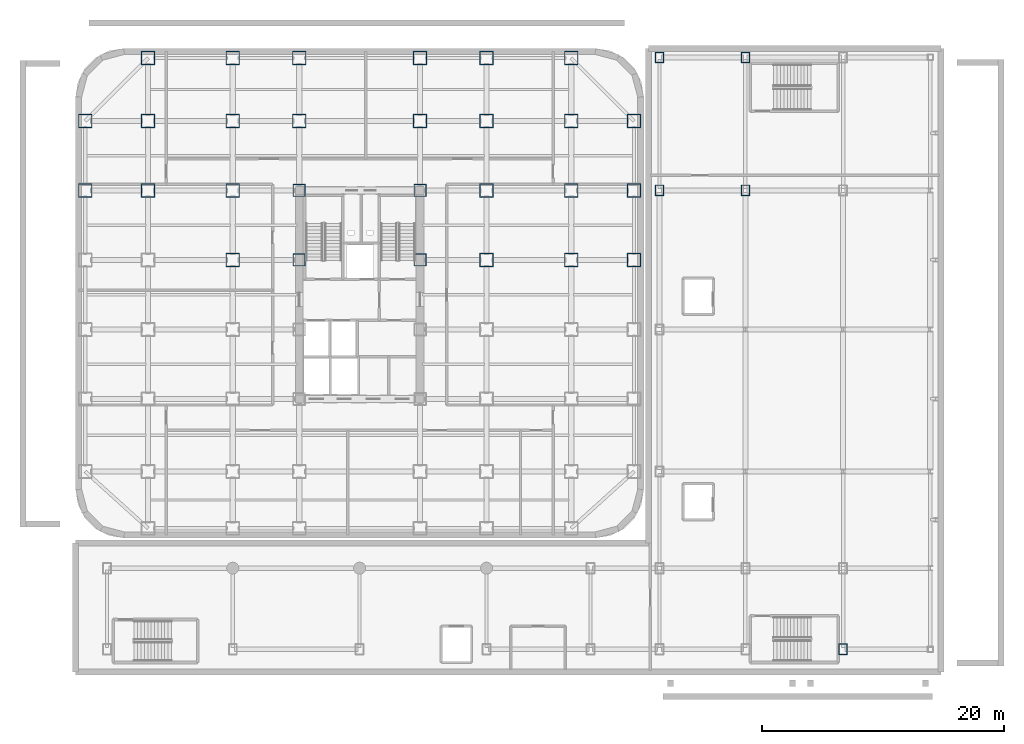
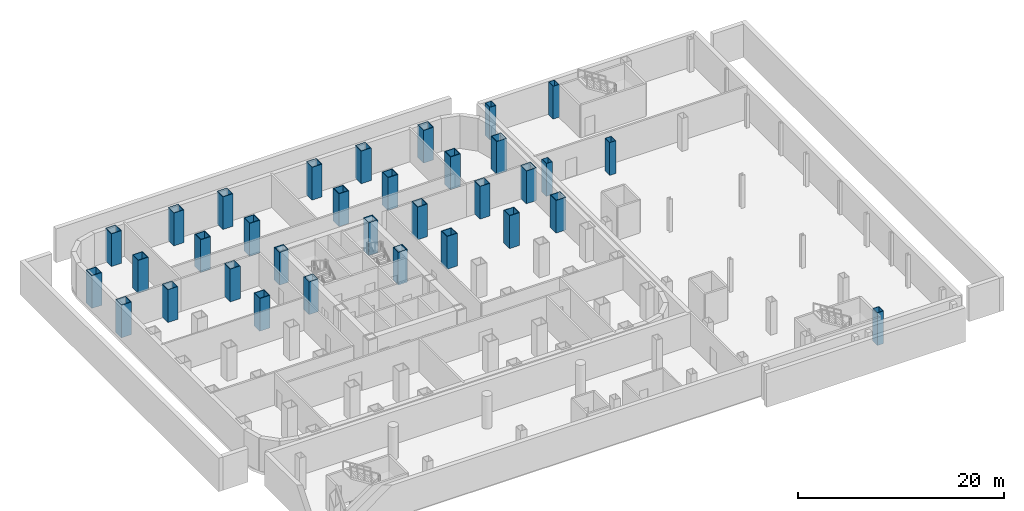
# One storey, part 2 of 16: 33 columns.
"""IFC4 building model written with IfcOpenShell, lengths in metres."""

from ifc_helpers import new_model, si_unit, direction, frame, origin, origin_2d, place, context, subcontext, project, spatial, hollow_rectangle, extrude, source, transform, mapped, material, material_profile, profile_set, type_object, element, save


model = new_model("IFC4")

# Units and contexts
model_context = context("Model", 3, precision=1e-05, world=origin(), true_north=direction((0.0, 1.0)))
body_context = subcontext(model_context, "Body", "Model", "MODEL_VIEW")
ifc_project = project(units=[si_unit("LENGTHUNIT", "METRE"), si_unit("AREAUNIT", "SQUARE_METRE"), si_unit("VOLUMEUNIT", "CUBIC_METRE"), si_unit("PLANEANGLEUNIT", "RADIAN"), si_unit("MASSUNIT", "GRAM", prefix="KILO")], contexts=[model_context])

# Site, building, storey
site_placement = place(None, origin())
site = spatial("IfcSite", under=ifc_project, at=site_placement, CompositionType="ELEMENT")
building_placement = place(site_placement, origin())
building = spatial("IfcBuilding", under=site, at=building_placement, Name="Kolveth Station Tower", CompositionType="ELEMENT")
storey_placement = place(building_placement, frame((0.0, 0.0, -4.199951171875)))
storey = spatial("IfcBuildingStorey", under=building, at=storey_placement, Name="B1", CompositionType="ELEMENT", Elevation=-4.199951171875)

# Columns
ifc_material_1 = material(Name="Steel S460", Category="steel")
ifc_material_profile_1 = material_profile(ifc_material_1, hollow_rectangle(XDim=1.139892578125, YDim=1.139892578125, WallThickness=0.070068359375, at=origin_2d()), Name="BOX1140x1140x70")
ifc_profile_set_1 = profile_set([ifc_material_profile_1], Name="Steel S460")
column_type_1 = type_object("IfcColumnType", Name="Col_C1", PredefinedType="COLUMN", material=ifc_profile_set_1)
shared_shape_1 = source(origin(), body_context, "Body", "SweptSolid", [
    extrude(hollow_rectangle(XDim=1.139892578125, YDim=1.139892578125, WallThickness=0.070068359375, at=origin_2d()), origin(), (0.0, 0.0, 1.0), 3.8798828125),
])
for number, where, z_axis, x_axis, name in (
    (1, (6.0, 39.699951171875, 0.0), (0.0, 0.0, 1.0), (1.0, 0.0, 0.0), "B1 Tower Column N-X60"),
    (2, (13.0, 39.699951171875, 0.0), (0.0, 0.0, 1.0), (1.0, 0.0, 0.0), "B1 Tower Column N-X130"),
    (3, (18.5, 39.699951171875, 0.0), (0.0, 0.0, 1.0), (1.0, 0.0, 0.0), "B1 Tower Column N-X185"),
    (4, (28.5, 39.699951171875, 0.0), (0.0, 0.0, 1.0), (1.0, 0.0, 0.0), "B1 Tower Column N-X285"),
    (5, (34.0, 39.699951171875, 0.0), (0.0, 0.0, 1.0), (1.0, 0.0, 0.0), "B1 Tower Column N-X340"),
    (6, (41.0, 39.699951171875, 0.0), (0.0, 0.0, 1.0), (1.0, 0.0, 0.0), "B1 Tower Column N-X410"),
    (7, (46.199951171875, 23.0, 0.0), (0.0, 0.0, 1.0), (1.0, 0.0, 0.0), "B1 Tower Column E-Y230"),
    (8, (0.800048828125, 28.75, 0.0), (0.0, 0.0, 1.0), (1.0, 0.0, 0.0), "B1 Tower Column W-Y287"),
    (9, (46.199951171875, 28.75, 0.0), (0.0, 0.0, 1.0), (1.0, 0.0, 0.0), "B1 Tower Column E-Y287"),
    (10, (0.800048828125, 34.5, 0.0), (0.0, 0.0, 1.0), (1.0, 0.0, 0.0), "B1 Tower Column W-Y345"),
    (11, (46.199951171875, 34.5, 0.0), (0.0, 0.0, 1.0), (1.0, 0.0, 0.0), "B1 Tower Column E-Y345"),
    (12, (6.0, 28.75, 0.0), (0.0, 0.0, 1.0), (1.0, 0.0, 0.0), "B1 Tower Column G-60-287"),
    (13, (6.0, 34.5, 0.0), (0.0, 0.0, 1.0), (1.0, 0.0, 0.0), "B1 Tower Column G-60-345"),
    (14, (13.0, 23.0, 0.0), (0.0, 0.0, 1.0), (1.0, 0.0, 0.0), "B1 Tower Column G-130-230"),
    (15, (13.0, 28.75, 0.0), (0.0, 0.0, 1.0), (1.0, 0.0, 0.0), "B1 Tower Column G-130-287"),
    (16, (13.0, 34.5, 0.0), (0.0, 0.0, 1.0), (1.0, 0.0, 0.0), "B1 Tower Column G-130-345"),
    (17, (18.5, 34.5, 0.0), (0.0, 0.0, 1.0), (1.0, 0.0, 0.0), "B1 Tower Column G-185-345"),
    (18, (28.5, 34.5, 0.0), (0.0, 0.0, 1.0), (1.0, 0.0, 0.0), "B1 Tower Column G-285-345"),
    (19, (34.0, 23.0, 0.0), (0.0, 0.0, 1.0), (1.0, 0.0, 0.0), "B1 Tower Column G-340-230"),
    (20, (34.0, 28.75, 0.0), (0.0, 0.0, 1.0), (1.0, 0.0, 0.0), "B1 Tower Column G-340-287"),
    (21, (34.0, 34.5, 0.0), (0.0, 0.0, 1.0), (1.0, 0.0, 0.0), "B1 Tower Column G-340-345"),
    (22, (41.0, 23.0, 0.0), (0.0, 0.0, 1.0), (1.0, 0.0, 0.0), "B1 Tower Column G-410-230"),
    (23, (41.0, 28.75, 0.0), (0.0, 0.0, 1.0), (1.0, 0.0, 0.0), "B1 Tower Column G-410-287"),
    (24, (41.0, 34.5, 0.0), (0.0, 0.0, 1.0), (1.0, 0.0, 0.0), "B1 Tower Column G-410-345"),
):
    element("IfcColumn", number, at=place(storey_placement, frame(where, z_axis=z_axis, x_axis=x_axis)), inside=storey, type_object=column_type_1, Name=name, PredefinedType="COLUMN", context=body_context, shape_type="MappedRepresentation", body=[
        mapped(shared_shape_1, transform((0.0, 0.0, 0.0), x_axis=(1.0, 0.0, 0.0), y_axis=(0.0, 1.0, 0.0), z_axis=(0.0, 0.0, 1.0), scale=1.0)),
    ])
ifc_material_profile_2 = material_profile(ifc_material_1, hollow_rectangle(XDim=1.0400390625, YDim=1.0400390625, WallThickness=0.06494140625, at=origin_2d()), Name="BOX1040x1040x65")
ifc_profile_set_2 = profile_set([ifc_material_profile_2], Name="Steel S460")
column_type_2 = type_object("IfcColumnType", Name="Col_C2", PredefinedType="COLUMN", material=ifc_profile_set_2)
shared_shape_2 = source(origin(), body_context, "Body", "SweptSolid", [
    extrude(hollow_rectangle(XDim=1.0400390625, YDim=1.0400390625, WallThickness=0.06494140625, at=origin_2d()), origin(), (0.0, 0.0, 1.0), 3.8798828125),
])
for number, where, z_axis, x_axis, name in (
    (25, (18.5, 23.0, 0.0), (0.0, 0.0, 1.0), (1.0, 0.0, 0.0), "B1 Tower Column G-185-230"),
    (26, (18.5, 28.75, 0.0), (0.0, 0.0, 1.0), (1.0, 0.0, 0.0), "B1 Tower Column G-185-287"),
    (27, (28.5, 23.0, 0.0), (0.0, 0.0, 1.0), (1.0, 0.0, 0.0), "B1 Tower Column G-285-230"),
    (28, (28.5, 28.75, 0.0), (0.0, 0.0, 1.0), (1.0, 0.0, 0.0), "B1 Tower Column G-285-287"),
):
    element("IfcColumn", number, at=place(storey_placement, frame(where, z_axis=z_axis, x_axis=x_axis)), inside=storey, type_object=column_type_2, Name=name, PredefinedType="COLUMN", context=body_context, shape_type="MappedRepresentation", body=[
        mapped(shared_shape_2, transform((0.0, 0.0, 0.0), x_axis=(1.0, 0.0, 0.0), y_axis=(0.0, 1.0, 0.0), z_axis=(0.0, 0.0, 1.0), scale=1.0)),
    ])
ifc_material_2 = material(Name="Steel S355", Category="steel")
ifc_material_profile_3 = material_profile(ifc_material_2, hollow_rectangle(XDim=0.699951171875, YDim=0.89990234375, WallThickness=0.0400390625, at=origin_2d()), Name="BOX900x700x40")
ifc_profile_set_3 = profile_set([ifc_material_profile_3], Name="Steel S355")
column_type_3 = type_object("IfcColumnType", Name="Col_SC1", PredefinedType="COLUMN", material=ifc_profile_set_3)
shared_shape_3 = source(origin(), body_context, "Body", "SweptSolid", [
    extrude(hollow_rectangle(XDim=0.699951171875, YDim=0.89990234375, WallThickness=0.0400390625, at=origin_2d()), origin(), (0.0, 0.0, 1.0), 3.8798828125),
])
for number, where, z_axis, x_axis, name in (
    (29, (48.300048828125, 28.75, 0.0), (0.0, 0.0, 1.0), (1.0, 0.0, 0.0), "B1 Station Column SE-1-5"),
    (30, (48.300048828125, 39.75, 0.0), (0.0, 0.0, 1.0), (1.0, 0.0, 0.0), "B1 Station Column SE-1-6"),
    (31, (55.39990234375, 28.75, 0.0), (0.0, 0.0, 1.0), (1.0, 0.0, 0.0), "B1 Station Column SE-2-5"),
    (32, (55.39990234375, 39.75, 0.0), (0.0, 0.0, 1.0), (1.0, 0.0, 0.0), "B1 Station Column SE-2-6"),
    (33, (63.5, -9.199951171875, 0.0), (0.0, 0.0, 1.0), (1.0, 0.0, 0.0), "B1 Station Column SE-3-1"),
):
    element("IfcColumn", number, at=place(storey_placement, frame(where, z_axis=z_axis, x_axis=x_axis)), inside=storey, type_object=column_type_3, Name=name, PredefinedType="COLUMN", context=body_context, shape_type="MappedRepresentation", body=[
        mapped(shared_shape_3, transform((0.0, 0.0, 0.0), x_axis=(1.0, 0.0, 0.0), y_axis=(0.0, 1.0, 0.0), z_axis=(0.0, 0.0, 1.0), scale=1.0)),
    ])

save(model, "model.ifc")
